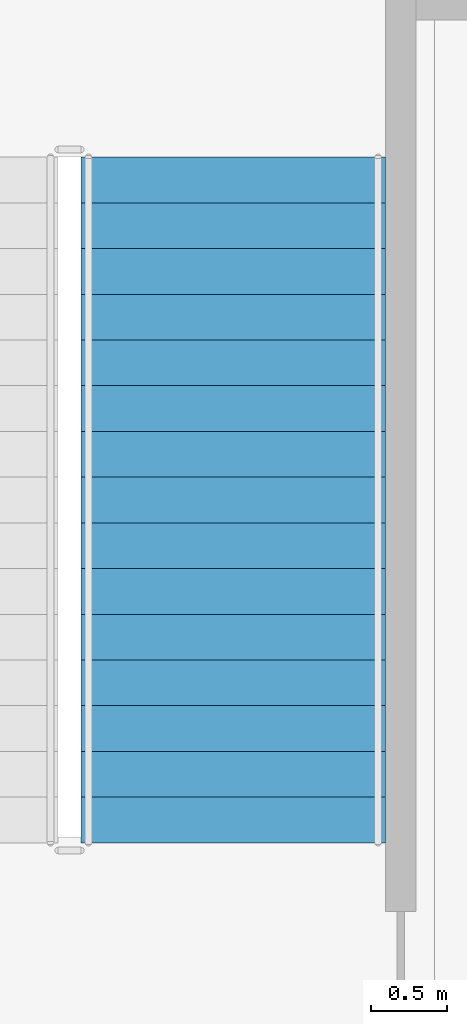
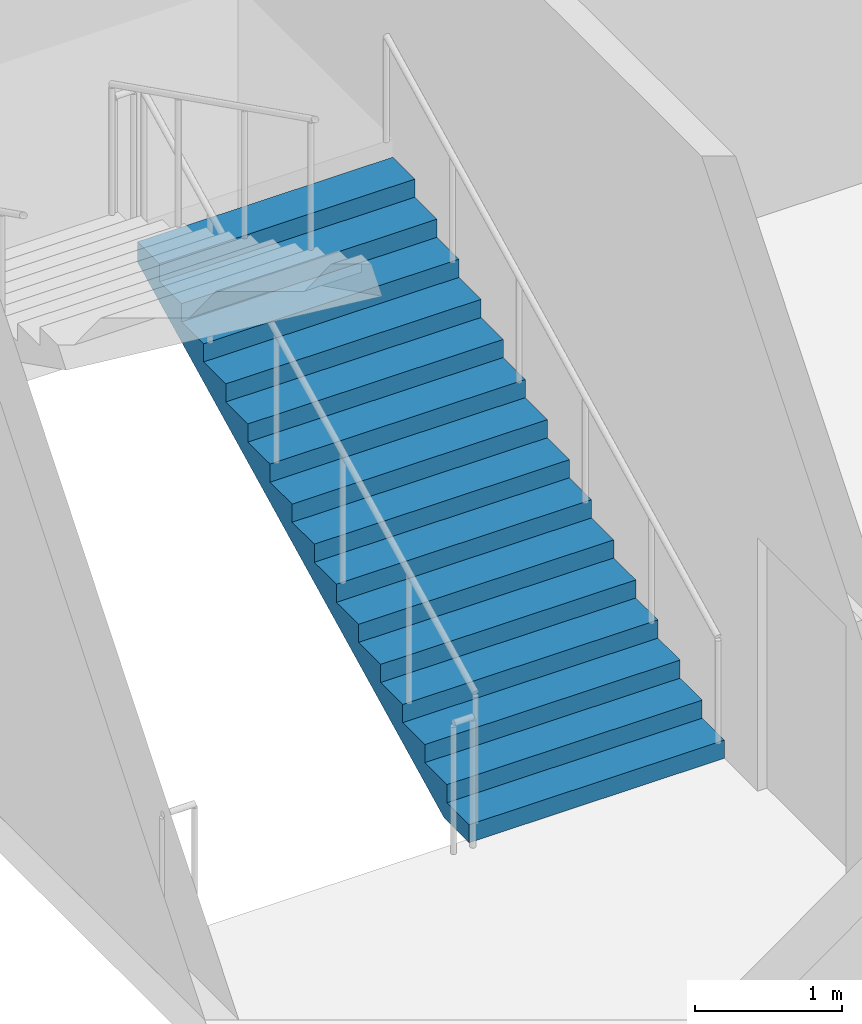
# One storey, part 77 of 100: 1 stair flight, 1 element without a shape of its own.
"""IFC4 building model written with IfcOpenShell, lengths in metres."""

from ifc_helpers import new_model, si_unit, direction, frame, origin, place, context, subcontext, project, spatial, faceted_brep, material, type_object, element, aggregate, save


model = new_model("IFC4")

# Units and contexts
model_context = context("Model", 3, precision=1e-05, world=origin(), true_north=direction((0.0, 1.0)))
body_context = subcontext(model_context, "Body", "Model", "MODEL_VIEW")
ifc_project = project(units=[si_unit("LENGTHUNIT", "METRE"), si_unit("AREAUNIT", "SQUARE_METRE"), si_unit("VOLUMEUNIT", "CUBIC_METRE"), si_unit("PLANEANGLEUNIT", "RADIAN"), si_unit("MASSUNIT", "GRAM", prefix="KILO")], contexts=[model_context])

# Site, building, storey
site_placement = place(None, origin())
site = spatial("IfcSite", under=ifc_project, at=site_placement, CompositionType="ELEMENT")
building_placement = place(site_placement, origin())
building = spatial("IfcBuilding", under=site, at=building_placement, Name="Kiln Court Media Centre", CompositionType="ELEMENT")
storey_placement = place(building_placement, frame((0.0, 0.0, 15.0)))
storey = spatial("IfcBuildingStorey", under=building, at=storey_placement, Name="L03", CompositionType="ELEMENT", Elevation=15.0)

# Stair, stair flight
ifc_material_1 = material(Name="Concrete C40/50", Category="concrete")
stair_type = type_object("IfcStairType", Name="Concrete C40/50 dog-leg stair 2000 wide, 150 riser", PredefinedType="HALF_TURN_STAIR", material=ifc_material_1)
stair_placement = place(storey_placement, origin())
stair = element("IfcStair", 1, at=stair_placement, inside=storey, type_object=stair_type, Name="ST-06 L03", PredefinedType="HALF_TURN_STAIR")
ifc_material_2 = material(Name="Concrete C40/50", Category="concrete")
stair_flight_type = type_object("IfcStairFlightType", Name="Concrete C40/50 stair flight 2000 wide, 150 riser, 300 going", PredefinedType="STRAIGHT", material=ifc_material_2)
stair_flight_placement = place(storey_placement, frame((3.60009765625, 36.39990234375, 0.0), z_axis=(0.0, 0.0, 1.0), x_axis=(0.0, 1.0, 0.0)))
stair_flight = element("IfcStairFlight", 2, at=stair_flight_placement, type_object=stair_flight_type, Name="L03-ST-5004 flight 5008", NumberOfRisers=16, NumberOfTreads=15, PredefinedType="STRAIGHT", RiserHeight=0.15, TreadLength=0.3, context=body_context, shape_type="Brep", body=[
    faceted_brep([(0.335205078125, -1.0, 0.0), (4.5, -1.0, 2.08251953125), (4.5, -1.0, 2.25), (4.199951171875, -1.0, 2.25), (4.199951171875, -1.0, 2.10009765625), (3.89990234375, -1.0, 2.10009765625), (3.89990234375, -1.0, 1.949951171875), (3.60009765625, -1.0, 1.949951171875), (3.60009765625, -1.0, 1.800048828125), (3.300048828125, -1.0, 1.800048828125), (3.300048828125, -1.0, 1.64990234375), (3.0, -1.0, 1.64990234375), (3.0, -1.0, 1.5), (2.699951171875, -1.0, 1.5), (2.699951171875, -1.0, 1.35009765625), (2.39990234375, -1.0, 1.35009765625), (2.39990234375, -1.0, 1.199951171875), (2.10009765625, -1.0, 1.199951171875), (2.10009765625, -1.0, 1.050048828125), (1.800048828125, -1.0, 1.050048828125), (1.800048828125, -1.0, 0.89990234375), (1.5, -1.0, 0.89990234375), (1.5, -1.0, 0.75), (1.199951171875, -1.0, 0.75), (1.199951171875, -1.0, 0.60009765625), (0.89990234375, -1.0, 0.60009765625), (0.89990234375, -1.0, 0.449951171875), (0.60009765625, -1.0, 0.449951171875), (0.60009765625, -1.0, 0.300048828125), (0.300048828125, -1.0, 0.300048828125), (0.300048828125, -1.0, 0.14990234375), (0.0, -1.0, 0.14990234375), (0.0, -1.0, 0.0), (0.0, 1.0, 0.0), (0.0, 1.0, 0.14990234375), (0.300048828125, 1.0, 0.14990234375), (0.300048828125, 1.0, 0.300048828125), (0.60009765625, 1.0, 0.300048828125), (0.60009765625, 1.0, 0.449951171875), (0.89990234375, 1.0, 0.449951171875), (0.89990234375, 1.0, 0.60009765625), (1.199951171875, 1.0, 0.60009765625), (1.199951171875, 1.0, 0.75), (1.5, 1.0, 0.75), (1.5, 1.0, 0.89990234375), (1.800048828125, 1.0, 0.89990234375), (1.800048828125, 1.0, 1.050048828125), (2.10009765625, 1.0, 1.050048828125), (2.10009765625, 1.0, 1.199951171875), (2.39990234375, 1.0, 1.199951171875), (2.39990234375, 1.0, 1.35009765625), (2.699951171875, 1.0, 1.35009765625), (2.699951171875, 1.0, 1.5), (3.0, 1.0, 1.5), (3.0, 1.0, 1.64990234375), (3.300048828125, 1.0, 1.64990234375), (3.300048828125, 1.0, 1.800048828125), (3.60009765625, 1.0, 1.800048828125), (3.60009765625, 1.0, 1.949951171875), (3.89990234375, 1.0, 1.949951171875), (3.89990234375, 1.0, 2.10009765625), (4.199951171875, 1.0, 2.10009765625), (4.199951171875, 1.0, 2.25), (4.5, 1.0, 2.25), (4.5, 1.0, 2.08251953125), (0.335205078125, 1.0, 0.0), (4.5, 0.10009765625, 2.08251953125), (0.335205078125, 0.10009765625, 0.0), (4.5, 0.080078125, 2.08251953125), (0.335205078125, 0.080078125, 0.0), (4.5, 0.06005859375, 2.08251953125), (0.335205078125, 0.06005859375, 0.0), (4.5, 0.0400390625, 2.08251953125), (0.335205078125, 0.0400390625, 0.0), (4.5, 0.02001953125, 2.08251953125), (0.335205078125, 0.02001953125, 0.0), (4.5, 0.0, 2.08251953125), (0.335205078125, 0.0, 0.0), (4.5, -0.02001953125, 2.08251953125), (0.335205078125, -0.02001953125, 0.0), (4.5, -0.0400390625, 2.08251953125), (0.335205078125, -0.0400390625, 0.0), (4.5, -0.06005859375, 2.08251953125), (0.335205078125, -0.06005859375, 0.0), (4.5, -0.080078125, 2.08251953125), (0.335205078125, -0.080078125, 0.0), (4.5, -0.10009765625, 2.08251953125), (0.335205078125, -0.10009765625, 0.0), (4.5, 0.10009765625, 2.25), (4.5, 0.080078125, 2.25), (4.5, 0.06005859375, 2.25), (4.5, 0.0400390625, 2.25), (4.5, 0.02001953125, 2.25), (4.5, 0.0, 2.25), (4.5, -0.02001953125, 2.25), (4.5, -0.0400390625, 2.25), (4.5, -0.06005859375, 2.25), (4.5, -0.080078125, 2.25), (4.5, -0.10009765625, 2.25), (4.199951171875, 0.10009765625, 2.25), (4.199951171875, 0.080078125, 2.25), (4.199951171875, 0.06005859375, 2.25), (4.199951171875, 0.0400390625, 2.25), (4.199951171875, 0.02001953125, 2.25), (4.199951171875, 0.0, 2.25), (4.199951171875, -0.02001953125, 2.25), (4.199951171875, -0.0400390625, 2.25), (4.199951171875, -0.06005859375, 2.25), (4.199951171875, -0.080078125, 2.25), (4.199951171875, -0.10009765625, 2.25), (4.199951171875, 0.10009765625, 2.10009765625), (4.199951171875, 0.080078125, 2.10009765625), (4.199951171875, 0.06005859375, 2.10009765625), (4.199951171875, 0.0400390625, 2.10009765625), (4.199951171875, 0.02001953125, 2.10009765625), (4.199951171875, 0.0, 2.10009765625), (4.199951171875, -0.02001953125, 2.10009765625), (4.199951171875, -0.0400390625, 2.10009765625), (4.199951171875, -0.06005859375, 2.10009765625), (4.199951171875, -0.080078125, 2.10009765625), (4.199951171875, -0.10009765625, 2.10009765625), (3.89990234375, 0.10009765625, 2.10009765625), (3.89990234375, 0.080078125, 2.10009765625), (3.89990234375, 0.06005859375, 2.10009765625), (3.89990234375, 0.0400390625, 2.10009765625), (3.89990234375, 0.02001953125, 2.10009765625), (3.89990234375, 0.0, 2.10009765625), (3.89990234375, -0.02001953125, 2.10009765625), (3.89990234375, -0.0400390625, 2.10009765625), (3.89990234375, -0.06005859375, 2.10009765625), (3.89990234375, -0.080078125, 2.10009765625), (3.89990234375, -0.10009765625, 2.10009765625), (3.89990234375, 0.10009765625, 1.949951171875), (3.89990234375, 0.080078125, 1.949951171875), (3.89990234375, 0.06005859375, 1.949951171875), (3.89990234375, 0.0400390625, 1.949951171875), (3.89990234375, 0.02001953125, 1.949951171875), (3.89990234375, 0.0, 1.949951171875), (3.89990234375, -0.02001953125, 1.949951171875), (3.89990234375, -0.0400390625, 1.949951171875), (3.89990234375, -0.06005859375, 1.949951171875), (3.89990234375, -0.080078125, 1.949951171875), (3.89990234375, -0.10009765625, 1.949951171875), (3.60009765625, 0.10009765625, 1.949951171875), (3.60009765625, 0.080078125, 1.949951171875), (3.60009765625, 0.06005859375, 1.949951171875), (3.60009765625, 0.0400390625, 1.949951171875), (3.60009765625, 0.02001953125, 1.949951171875), (3.60009765625, 0.0, 1.949951171875), (3.60009765625, -0.02001953125, 1.949951171875), (3.60009765625, -0.0400390625, 1.949951171875), (3.60009765625, -0.06005859375, 1.949951171875), (3.60009765625, -0.080078125, 1.949951171875), (3.60009765625, -0.10009765625, 1.949951171875), (3.60009765625, 0.10009765625, 1.800048828125), (3.60009765625, 0.080078125, 1.800048828125), (3.60009765625, 0.06005859375, 1.800048828125), (3.60009765625, 0.0400390625, 1.800048828125), (3.60009765625, 0.02001953125, 1.800048828125), (3.60009765625, 0.0, 1.800048828125), (3.60009765625, -0.02001953125, 1.800048828125), (3.60009765625, -0.0400390625, 1.800048828125), (3.60009765625, -0.06005859375, 1.800048828125), (3.60009765625, -0.080078125, 1.800048828125), (3.60009765625, -0.10009765625, 1.800048828125), (3.300048828125, 0.10009765625, 1.800048828125), (3.300048828125, 0.080078125, 1.800048828125), (3.300048828125, 0.06005859375, 1.800048828125), (3.300048828125, 0.0400390625, 1.800048828125), (3.300048828125, 0.02001953125, 1.800048828125), (3.300048828125, 0.0, 1.800048828125), (3.300048828125, -0.02001953125, 1.800048828125), (3.300048828125, -0.0400390625, 1.800048828125), (3.300048828125, -0.06005859375, 1.800048828125), (3.300048828125, -0.080078125, 1.800048828125), (3.300048828125, -0.10009765625, 1.800048828125), (3.300048828125, 0.10009765625, 1.64990234375), (3.300048828125, 0.080078125, 1.64990234375), (3.300048828125, 0.06005859375, 1.64990234375), (3.300048828125, 0.0400390625, 1.64990234375), (3.300048828125, 0.02001953125, 1.64990234375), (3.300048828125, 0.0, 1.64990234375), (3.300048828125, -0.02001953125, 1.64990234375), (3.300048828125, -0.0400390625, 1.64990234375), (3.300048828125, -0.06005859375, 1.64990234375), (3.300048828125, -0.080078125, 1.64990234375), (3.300048828125, -0.10009765625, 1.64990234375), (3.0, 0.10009765625, 1.64990234375), (3.0, 0.080078125, 1.64990234375), (3.0, 0.06005859375, 1.64990234375), (3.0, 0.0400390625, 1.64990234375), (3.0, 0.02001953125, 1.64990234375), (3.0, 0.0, 1.64990234375), (3.0, -0.02001953125, 1.64990234375), (3.0, -0.0400390625, 1.64990234375), (3.0, -0.06005859375, 1.64990234375), (3.0, -0.080078125, 1.64990234375), (3.0, -0.10009765625, 1.64990234375), (3.0, 0.10009765625, 1.5), (3.0, 0.080078125, 1.5), (3.0, 0.06005859375, 1.5), (3.0, 0.0400390625, 1.5), (3.0, 0.02001953125, 1.5), (3.0, 0.0, 1.5), (3.0, -0.02001953125, 1.5), (3.0, -0.0400390625, 1.5), (3.0, -0.06005859375, 1.5), (3.0, -0.080078125, 1.5), (3.0, -0.10009765625, 1.5), (2.699951171875, 0.10009765625, 1.5), (2.699951171875, 0.080078125, 1.5), (2.699951171875, 0.06005859375, 1.5), (2.699951171875, 0.0400390625, 1.5), (2.699951171875, 0.02001953125, 1.5), (2.699951171875, 0.0, 1.5), (2.699951171875, -0.02001953125, 1.5), (2.699951171875, -0.0400390625, 1.5), (2.699951171875, -0.06005859375, 1.5), (2.699951171875, -0.080078125, 1.5), (2.699951171875, -0.10009765625, 1.5), (2.699951171875, 0.10009765625, 1.35009765625), (2.699951171875, 0.080078125, 1.35009765625), (2.699951171875, 0.06005859375, 1.35009765625), (2.699951171875, 0.0400390625, 1.35009765625), (2.699951171875, 0.02001953125, 1.35009765625), (2.699951171875, 0.0, 1.35009765625), (2.699951171875, -0.02001953125, 1.35009765625), (2.699951171875, -0.0400390625, 1.35009765625), (2.699951171875, -0.06005859375, 1.35009765625), (2.699951171875, -0.080078125, 1.35009765625), (2.699951171875, -0.10009765625, 1.35009765625), (2.39990234375, 0.10009765625, 1.35009765625), (2.39990234375, 0.080078125, 1.35009765625), (2.39990234375, 0.06005859375, 1.35009765625), (2.39990234375, 0.0400390625, 1.35009765625), (2.39990234375, 0.02001953125, 1.35009765625), (2.39990234375, 0.0, 1.35009765625), (2.39990234375, -0.02001953125, 1.35009765625), (2.39990234375, -0.0400390625, 1.35009765625), (2.39990234375, -0.06005859375, 1.35009765625), (2.39990234375, -0.080078125, 1.35009765625), (2.39990234375, -0.10009765625, 1.35009765625), (2.39990234375, 0.10009765625, 1.199951171875), (2.39990234375, 0.080078125, 1.199951171875), (2.39990234375, 0.06005859375, 1.199951171875), (2.39990234375, 0.0400390625, 1.199951171875), (2.39990234375, 0.02001953125, 1.199951171875), (2.39990234375, 0.0, 1.199951171875), (2.39990234375, -0.02001953125, 1.199951171875), (2.39990234375, -0.0400390625, 1.199951171875), (2.39990234375, -0.06005859375, 1.199951171875), (2.39990234375, -0.080078125, 1.199951171875), (2.39990234375, -0.10009765625, 1.199951171875), (2.10009765625, 0.10009765625, 1.199951171875), (2.10009765625, 0.080078125, 1.199951171875), (2.10009765625, 0.06005859375, 1.199951171875), (2.10009765625, 0.0400390625, 1.199951171875), (2.10009765625, 0.02001953125, 1.199951171875), (2.10009765625, 0.0, 1.199951171875), (2.10009765625, -0.02001953125, 1.199951171875), (2.10009765625, -0.0400390625, 1.199951171875), (2.10009765625, -0.06005859375, 1.199951171875), (2.10009765625, -0.080078125, 1.199951171875), (2.10009765625, -0.10009765625, 1.199951171875), (2.10009765625, 0.10009765625, 1.050048828125), (2.10009765625, 0.080078125, 1.050048828125), (2.10009765625, 0.06005859375, 1.050048828125), (2.10009765625, 0.0400390625, 1.050048828125), (2.10009765625, 0.02001953125, 1.050048828125), (2.10009765625, 0.0, 1.050048828125), (2.10009765625, -0.02001953125, 1.050048828125), (2.10009765625, -0.0400390625, 1.050048828125), (2.10009765625, -0.06005859375, 1.050048828125), (2.10009765625, -0.080078125, 1.050048828125), (2.10009765625, -0.10009765625, 1.050048828125), (1.800048828125, 0.10009765625, 1.050048828125), (1.800048828125, 0.080078125, 1.050048828125), (1.800048828125, 0.06005859375, 1.050048828125), (1.800048828125, 0.0400390625, 1.050048828125), (1.800048828125, 0.02001953125, 1.050048828125), (1.800048828125, 0.0, 1.050048828125), (1.800048828125, -0.02001953125, 1.050048828125), (1.800048828125, -0.0400390625, 1.050048828125), (1.800048828125, -0.06005859375, 1.050048828125), (1.800048828125, -0.080078125, 1.050048828125), (1.800048828125, -0.10009765625, 1.050048828125), (1.800048828125, 0.10009765625, 0.89990234375), (1.800048828125, 0.080078125, 0.89990234375), (1.800048828125, 0.06005859375, 0.89990234375), (1.800048828125, 0.0400390625, 0.89990234375), (1.800048828125, 0.02001953125, 0.89990234375), (1.800048828125, 0.0, 0.89990234375), (1.800048828125, -0.02001953125, 0.89990234375), (1.800048828125, -0.0400390625, 0.89990234375), (1.800048828125, -0.06005859375, 0.89990234375), (1.800048828125, -0.080078125, 0.89990234375), (1.800048828125, -0.10009765625, 0.89990234375), (1.5, 0.10009765625, 0.89990234375), (1.5, 0.080078125, 0.89990234375), (1.5, 0.06005859375, 0.89990234375), (1.5, 0.0400390625, 0.89990234375), (1.5, 0.02001953125, 0.89990234375), (1.5, 0.0, 0.89990234375), (1.5, -0.02001953125, 0.89990234375), (1.5, -0.0400390625, 0.89990234375), (1.5, -0.06005859375, 0.89990234375), (1.5, -0.080078125, 0.89990234375), (1.5, -0.10009765625, 0.89990234375), (1.5, 0.10009765625, 0.75), (1.5, 0.080078125, 0.75), (1.5, 0.06005859375, 0.75), (1.5, 0.0400390625, 0.75), (1.5, 0.02001953125, 0.75), (1.5, 0.0, 0.75), (1.5, -0.02001953125, 0.75), (1.5, -0.0400390625, 0.75), (1.5, -0.06005859375, 0.75), (1.5, -0.080078125, 0.75), (1.5, -0.10009765625, 0.75), (1.199951171875, 0.10009765625, 0.75), (1.199951171875, 0.080078125, 0.75), (1.199951171875, 0.06005859375, 0.75), (1.199951171875, 0.0400390625, 0.75), (1.199951171875, 0.02001953125, 0.75), (1.199951171875, 0.0, 0.75), (1.199951171875, -0.02001953125, 0.75), (1.199951171875, -0.0400390625, 0.75), (1.199951171875, -0.06005859375, 0.75), (1.199951171875, -0.080078125, 0.75), (1.199951171875, -0.10009765625, 0.75), (1.199951171875, 0.10009765625, 0.60009765625), (1.199951171875, 0.080078125, 0.60009765625), (1.199951171875, 0.06005859375, 0.60009765625), (1.199951171875, 0.0400390625, 0.60009765625), (1.199951171875, 0.02001953125, 0.60009765625), (1.199951171875, 0.0, 0.60009765625), (1.199951171875, -0.02001953125, 0.60009765625), (1.199951171875, -0.0400390625, 0.60009765625), (1.199951171875, -0.06005859375, 0.60009765625), (1.199951171875, -0.080078125, 0.60009765625), (1.199951171875, -0.10009765625, 0.60009765625), (0.89990234375, 0.10009765625, 0.60009765625), (0.89990234375, 0.080078125, 0.60009765625), (0.89990234375, 0.06005859375, 0.60009765625), (0.89990234375, 0.0400390625, 0.60009765625), (0.89990234375, 0.02001953125, 0.60009765625), (0.89990234375, 0.0, 0.60009765625), (0.89990234375, -0.02001953125, 0.60009765625), (0.89990234375, -0.0400390625, 0.60009765625), (0.89990234375, -0.06005859375, 0.60009765625), (0.89990234375, -0.080078125, 0.60009765625), (0.89990234375, -0.10009765625, 0.60009765625), (0.89990234375, 0.10009765625, 0.449951171875), (0.89990234375, 0.080078125, 0.449951171875), (0.89990234375, 0.06005859375, 0.449951171875), (0.89990234375, 0.0400390625, 0.449951171875), (0.89990234375, 0.02001953125, 0.449951171875), (0.89990234375, 0.0, 0.449951171875), (0.89990234375, -0.02001953125, 0.449951171875), (0.89990234375, -0.0400390625, 0.449951171875), (0.89990234375, -0.06005859375, 0.449951171875), (0.89990234375, -0.080078125, 0.449951171875), (0.89990234375, -0.10009765625, 0.449951171875), (0.60009765625, 0.10009765625, 0.449951171875), (0.60009765625, 0.080078125, 0.449951171875), (0.60009765625, 0.06005859375, 0.449951171875), (0.60009765625, 0.0400390625, 0.449951171875), (0.60009765625, 0.02001953125, 0.449951171875), (0.60009765625, 0.0, 0.449951171875), (0.60009765625, -0.02001953125, 0.449951171875), (0.60009765625, -0.0400390625, 0.449951171875), (0.60009765625, -0.06005859375, 0.449951171875), (0.60009765625, -0.080078125, 0.449951171875), (0.60009765625, -0.10009765625, 0.449951171875), (0.60009765625, 0.10009765625, 0.300048828125), (0.60009765625, 0.080078125, 0.300048828125), (0.60009765625, 0.06005859375, 0.300048828125), (0.60009765625, 0.0400390625, 0.300048828125), (0.60009765625, 0.02001953125, 0.300048828125), (0.60009765625, 0.0, 0.300048828125), (0.60009765625, -0.02001953125, 0.300048828125), (0.60009765625, -0.0400390625, 0.300048828125), (0.60009765625, -0.06005859375, 0.300048828125), (0.60009765625, -0.080078125, 0.300048828125), (0.60009765625, -0.10009765625, 0.300048828125), (0.300048828125, 0.10009765625, 0.300048828125), (0.300048828125, 0.080078125, 0.300048828125), (0.300048828125, 0.06005859375, 0.300048828125), (0.300048828125, 0.0400390625, 0.300048828125), (0.300048828125, 0.02001953125, 0.300048828125), (0.300048828125, 0.0, 0.300048828125), (0.300048828125, -0.02001953125, 0.300048828125), (0.300048828125, -0.0400390625, 0.300048828125), (0.300048828125, -0.06005859375, 0.300048828125), (0.300048828125, -0.080078125, 0.300048828125), (0.300048828125, -0.10009765625, 0.300048828125), (0.300048828125, 0.10009765625, 0.14990234375), (0.300048828125, 0.080078125, 0.14990234375), (0.300048828125, 0.06005859375, 0.14990234375), (0.300048828125, 0.0400390625, 0.14990234375), (0.300048828125, 0.02001953125, 0.14990234375), (0.300048828125, 0.0, 0.14990234375), (0.300048828125, -0.02001953125, 0.14990234375), (0.300048828125, -0.0400390625, 0.14990234375), (0.300048828125, -0.06005859375, 0.14990234375), (0.300048828125, -0.080078125, 0.14990234375), (0.300048828125, -0.10009765625, 0.14990234375), (0.0, 0.10009765625, 0.14990234375), (0.0, 0.080078125, 0.14990234375), (0.0, 0.06005859375, 0.14990234375), (0.0, 0.0400390625, 0.14990234375), (0.0, 0.02001953125, 0.14990234375), (0.0, 0.0, 0.14990234375), (0.0, -0.02001953125, 0.14990234375), (0.0, -0.0400390625, 0.14990234375), (0.0, -0.06005859375, 0.14990234375), (0.0, -0.080078125, 0.14990234375), (0.0, -0.10009765625, 0.14990234375), (0.0, 0.10009765625, 0.0), (0.0, 0.080078125, 0.0), (0.0, 0.06005859375, 0.0), (0.0, 0.0400390625, 0.0), (0.0, 0.02001953125, 0.0), (0.0, 0.0, 0.0), (0.0, -0.02001953125, 0.0), (0.0, -0.0400390625, 0.0), (0.0, -0.06005859375, 0.0), (0.0, -0.080078125, 0.0), (0.0, -0.10009765625, 0.0)], [[[0, 1, 2, 3, 4, 5, 6, 7, 8, 9, 10, 11, 12, 13, 14, 15, 16, 17, 18, 19, 20, 21, 22, 23, 24, 25, 26, 27, 28, 29, 30, 31, 32]], [[33, 34, 35, 36, 37, 38, 39, 40, 41, 42, 43, 44, 45, 46, 47, 48, 49, 50, 51, 52, 53, 54, 55, 56, 57, 58, 59, 60, 61, 62, 63, 64, 65]], [[65, 64, 66, 67]], [[67, 66, 68, 69]], [[69, 68, 70, 71]], [[71, 70, 72, 73]], [[73, 72, 74, 75]], [[75, 74, 76, 77]], [[77, 76, 78, 79]], [[79, 78, 80, 81]], [[81, 80, 82, 83]], [[83, 82, 84, 85]], [[85, 84, 86, 87]], [[87, 86, 1, 0]], [[64, 63, 88, 66]], [[66, 88, 89, 68]], [[68, 89, 90, 70]], [[70, 90, 91, 72]], [[72, 91, 92, 74]], [[74, 92, 93, 76]], [[76, 93, 94, 78]], [[78, 94, 95, 80]], [[80, 95, 96, 82]], [[82, 96, 97, 84]], [[84, 97, 98, 86]], [[86, 98, 2, 1]], [[63, 62, 99, 88]], [[88, 99, 100, 89]], [[89, 100, 101, 90]], [[90, 101, 102, 91]], [[91, 102, 103, 92]], [[92, 103, 104, 93]], [[93, 104, 105, 94]], [[94, 105, 106, 95]], [[95, 106, 107, 96]], [[96, 107, 108, 97]], [[97, 108, 109, 98]], [[98, 109, 3, 2]], [[62, 61, 110, 99]], [[99, 110, 111, 100]], [[100, 111, 112, 101]], [[101, 112, 113, 102]], [[102, 113, 114, 103]], [[103, 114, 115, 104]], [[104, 115, 116, 105]], [[105, 116, 117, 106]], [[106, 117, 118, 107]], [[107, 118, 119, 108]], [[108, 119, 120, 109]], [[109, 120, 4, 3]], [[61, 60, 121, 110]], [[110, 121, 122, 111]], [[111, 122, 123, 112]], [[112, 123, 124, 113]], [[113, 124, 125, 114]], [[114, 125, 126, 115]], [[115, 126, 127, 116]], [[116, 127, 128, 117]], [[117, 128, 129, 118]], [[118, 129, 130, 119]], [[119, 130, 131, 120]], [[120, 131, 5, 4]], [[60, 59, 132, 121]], [[121, 132, 133, 122]], [[122, 133, 134, 123]], [[123, 134, 135, 124]], [[124, 135, 136, 125]], [[125, 136, 137, 126]], [[126, 137, 138, 127]], [[127, 138, 139, 128]], [[128, 139, 140, 129]], [[129, 140, 141, 130]], [[130, 141, 142, 131]], [[131, 142, 6, 5]], [[59, 58, 143, 132]], [[132, 143, 144, 133]], [[133, 144, 145, 134]], [[134, 145, 146, 135]], [[135, 146, 147, 136]], [[136, 147, 148, 137]], [[137, 148, 149, 138]], [[138, 149, 150, 139]], [[139, 150, 151, 140]], [[140, 151, 152, 141]], [[141, 152, 153, 142]], [[142, 153, 7, 6]], [[58, 57, 154, 143]], [[143, 154, 155, 144]], [[144, 155, 156, 145]], [[145, 156, 157, 146]], [[146, 157, 158, 147]], [[147, 158, 159, 148]], [[148, 159, 160, 149]], [[149, 160, 161, 150]], [[150, 161, 162, 151]], [[151, 162, 163, 152]], [[152, 163, 164, 153]], [[153, 164, 8, 7]], [[57, 56, 165, 154]], [[154, 165, 166, 155]], [[155, 166, 167, 156]], [[156, 167, 168, 157]], [[157, 168, 169, 158]], [[158, 169, 170, 159]], [[159, 170, 171, 160]], [[160, 171, 172, 161]], [[161, 172, 173, 162]], [[162, 173, 174, 163]], [[163, 174, 175, 164]], [[164, 175, 9, 8]], [[56, 55, 176, 165]], [[165, 176, 177, 166]], [[166, 177, 178, 167]], [[167, 178, 179, 168]], [[168, 179, 180, 169]], [[169, 180, 181, 170]], [[170, 181, 182, 171]], [[171, 182, 183, 172]], [[172, 183, 184, 173]], [[173, 184, 185, 174]], [[174, 185, 186, 175]], [[175, 186, 10, 9]], [[55, 54, 187, 176]], [[176, 187, 188, 177]], [[177, 188, 189, 178]], [[178, 189, 190, 179]], [[179, 190, 191, 180]], [[180, 191, 192, 181]], [[181, 192, 193, 182]], [[182, 193, 194, 183]], [[183, 194, 195, 184]], [[184, 195, 196, 185]], [[185, 196, 197, 186]], [[186, 197, 11, 10]], [[54, 53, 198, 187]], [[187, 198, 199, 188]], [[188, 199, 200, 189]], [[189, 200, 201, 190]], [[190, 201, 202, 191]], [[191, 202, 203, 192]], [[192, 203, 204, 193]], [[193, 204, 205, 194]], [[194, 205, 206, 195]], [[195, 206, 207, 196]], [[196, 207, 208, 197]], [[197, 208, 12, 11]], [[53, 52, 209, 198]], [[198, 209, 210, 199]], [[199, 210, 211, 200]], [[200, 211, 212, 201]], [[201, 212, 213, 202]], [[202, 213, 214, 203]], [[203, 214, 215, 204]], [[204, 215, 216, 205]], [[205, 216, 217, 206]], [[206, 217, 218, 207]], [[207, 218, 219, 208]], [[208, 219, 13, 12]], [[52, 51, 220, 209]], [[209, 220, 221, 210]], [[210, 221, 222, 211]], [[211, 222, 223, 212]], [[212, 223, 224, 213]], [[213, 224, 225, 214]], [[214, 225, 226, 215]], [[215, 226, 227, 216]], [[216, 227, 228, 217]], [[217, 228, 229, 218]], [[218, 229, 230, 219]], [[219, 230, 14, 13]], [[51, 50, 231, 220]], [[220, 231, 232, 221]], [[221, 232, 233, 222]], [[222, 233, 234, 223]], [[223, 234, 235, 224]], [[224, 235, 236, 225]], [[225, 236, 237, 226]], [[226, 237, 238, 227]], [[227, 238, 239, 228]], [[228, 239, 240, 229]], [[229, 240, 241, 230]], [[230, 241, 15, 14]], [[50, 49, 242, 231]], [[231, 242, 243, 232]], [[232, 243, 244, 233]], [[233, 244, 245, 234]], [[234, 245, 246, 235]], [[235, 246, 247, 236]], [[236, 247, 248, 237]], [[237, 248, 249, 238]], [[238, 249, 250, 239]], [[239, 250, 251, 240]], [[240, 251, 252, 241]], [[241, 252, 16, 15]], [[49, 48, 253, 242]], [[242, 253, 254, 243]], [[243, 254, 255, 244]], [[244, 255, 256, 245]], [[245, 256, 257, 246]], [[246, 257, 258, 247]], [[247, 258, 259, 248]], [[248, 259, 260, 249]], [[249, 260, 261, 250]], [[250, 261, 262, 251]], [[251, 262, 263, 252]], [[252, 263, 17, 16]], [[48, 47, 264, 253]], [[253, 264, 265, 254]], [[254, 265, 266, 255]], [[255, 266, 267, 256]], [[256, 267, 268, 257]], [[257, 268, 269, 258]], [[258, 269, 270, 259]], [[259, 270, 271, 260]], [[260, 271, 272, 261]], [[261, 272, 273, 262]], [[262, 273, 274, 263]], [[263, 274, 18, 17]], [[47, 46, 275, 264]], [[264, 275, 276, 265]], [[265, 276, 277, 266]], [[266, 277, 278, 267]], [[267, 278, 279, 268]], [[268, 279, 280, 269]], [[269, 280, 281, 270]], [[270, 281, 282, 271]], [[271, 282, 283, 272]], [[272, 283, 284, 273]], [[273, 284, 285, 274]], [[274, 285, 19, 18]], [[46, 45, 286, 275]], [[275, 286, 287, 276]], [[276, 287, 288, 277]], [[277, 288, 289, 278]], [[278, 289, 290, 279]], [[279, 290, 291, 280]], [[280, 291, 292, 281]], [[281, 292, 293, 282]], [[282, 293, 294, 283]], [[283, 294, 295, 284]], [[284, 295, 296, 285]], [[285, 296, 20, 19]], [[45, 44, 297, 286]], [[286, 297, 298, 287]], [[287, 298, 299, 288]], [[288, 299, 300, 289]], [[289, 300, 301, 290]], [[290, 301, 302, 291]], [[291, 302, 303, 292]], [[292, 303, 304, 293]], [[293, 304, 305, 294]], [[294, 305, 306, 295]], [[295, 306, 307, 296]], [[296, 307, 21, 20]], [[44, 43, 308, 297]], [[297, 308, 309, 298]], [[298, 309, 310, 299]], [[299, 310, 311, 300]], [[300, 311, 312, 301]], [[301, 312, 313, 302]], [[302, 313, 314, 303]], [[303, 314, 315, 304]], [[304, 315, 316, 305]], [[305, 316, 317, 306]], [[306, 317, 318, 307]], [[307, 318, 22, 21]], [[43, 42, 319, 308]], [[308, 319, 320, 309]], [[309, 320, 321, 310]], [[310, 321, 322, 311]], [[311, 322, 323, 312]], [[312, 323, 324, 313]], [[313, 324, 325, 314]], [[314, 325, 326, 315]], [[315, 326, 327, 316]], [[316, 327, 328, 317]], [[317, 328, 329, 318]], [[318, 329, 23, 22]], [[42, 41, 330, 319]], [[319, 330, 331, 320]], [[320, 331, 332, 321]], [[321, 332, 333, 322]], [[322, 333, 334, 323]], [[323, 334, 335, 324]], [[324, 335, 336, 325]], [[325, 336, 337, 326]], [[326, 337, 338, 327]], [[327, 338, 339, 328]], [[328, 339, 340, 329]], [[329, 340, 24, 23]], [[41, 40, 341, 330]], [[330, 341, 342, 331]], [[331, 342, 343, 332]], [[332, 343, 344, 333]], [[333, 344, 345, 334]], [[334, 345, 346, 335]], [[335, 346, 347, 336]], [[336, 347, 348, 337]], [[337, 348, 349, 338]], [[338, 349, 350, 339]], [[339, 350, 351, 340]], [[340, 351, 25, 24]], [[40, 39, 352, 341]], [[341, 352, 353, 342]], [[342, 353, 354, 343]], [[343, 354, 355, 344]], [[344, 355, 356, 345]], [[345, 356, 357, 346]], [[346, 357, 358, 347]], [[347, 358, 359, 348]], [[348, 359, 360, 349]], [[349, 360, 361, 350]], [[350, 361, 362, 351]], [[351, 362, 26, 25]], [[39, 38, 363, 352]], [[352, 363, 364, 353]], [[353, 364, 365, 354]], [[354, 365, 366, 355]], [[355, 366, 367, 356]], [[356, 367, 368, 357]], [[357, 368, 369, 358]], [[358, 369, 370, 359]], [[359, 370, 371, 360]], [[360, 371, 372, 361]], [[361, 372, 373, 362]], [[362, 373, 27, 26]], [[38, 37, 374, 363]], [[363, 374, 375, 364]], [[364, 375, 376, 365]], [[365, 376, 377, 366]], [[366, 377, 378, 367]], [[367, 378, 379, 368]], [[368, 379, 380, 369]], [[369, 380, 381, 370]], [[370, 381, 382, 371]], [[371, 382, 383, 372]], [[372, 383, 384, 373]], [[373, 384, 28, 27]], [[37, 36, 385, 374]], [[374, 385, 386, 375]], [[375, 386, 387, 376]], [[376, 387, 388, 377]], [[377, 388, 389, 378]], [[378, 389, 390, 379]], [[379, 390, 391, 380]], [[380, 391, 392, 381]], [[381, 392, 393, 382]], [[382, 393, 394, 383]], [[383, 394, 395, 384]], [[384, 395, 29, 28]], [[36, 35, 396, 385]], [[385, 396, 397, 386]], [[386, 397, 398, 387]], [[387, 398, 399, 388]], [[388, 399, 400, 389]], [[389, 400, 401, 390]], [[390, 401, 402, 391]], [[391, 402, 403, 392]], [[392, 403, 404, 393]], [[393, 404, 405, 394]], [[394, 405, 406, 395]], [[395, 406, 30, 29]], [[35, 34, 407, 396]], [[396, 407, 408, 397]], [[397, 408, 409, 398]], [[398, 409, 410, 399]], [[399, 410, 411, 400]], [[400, 411, 412, 401]], [[401, 412, 413, 402]], [[402, 413, 414, 403]], [[403, 414, 415, 404]], [[404, 415, 416, 405]], [[405, 416, 417, 406]], [[406, 417, 31, 30]], [[34, 33, 418, 407]], [[407, 418, 419, 408]], [[408, 419, 420, 409]], [[409, 420, 421, 410]], [[410, 421, 422, 411]], [[411, 422, 423, 412]], [[412, 423, 424, 413]], [[413, 424, 425, 414]], [[414, 425, 426, 415]], [[415, 426, 427, 416]], [[416, 427, 428, 417]], [[417, 428, 32, 31]], [[33, 65, 67, 418]], [[418, 67, 69, 419]], [[419, 69, 71, 420]], [[420, 71, 73, 421]], [[421, 73, 75, 422]], [[422, 75, 77, 423]], [[423, 77, 79, 424]], [[424, 79, 81, 425]], [[425, 81, 83, 426]], [[426, 83, 85, 427]], [[427, 85, 87, 428]], [[428, 87, 0, 32]]]),
])
aggregate(stair, [stair_flight])

save(model, "model.ifc")
